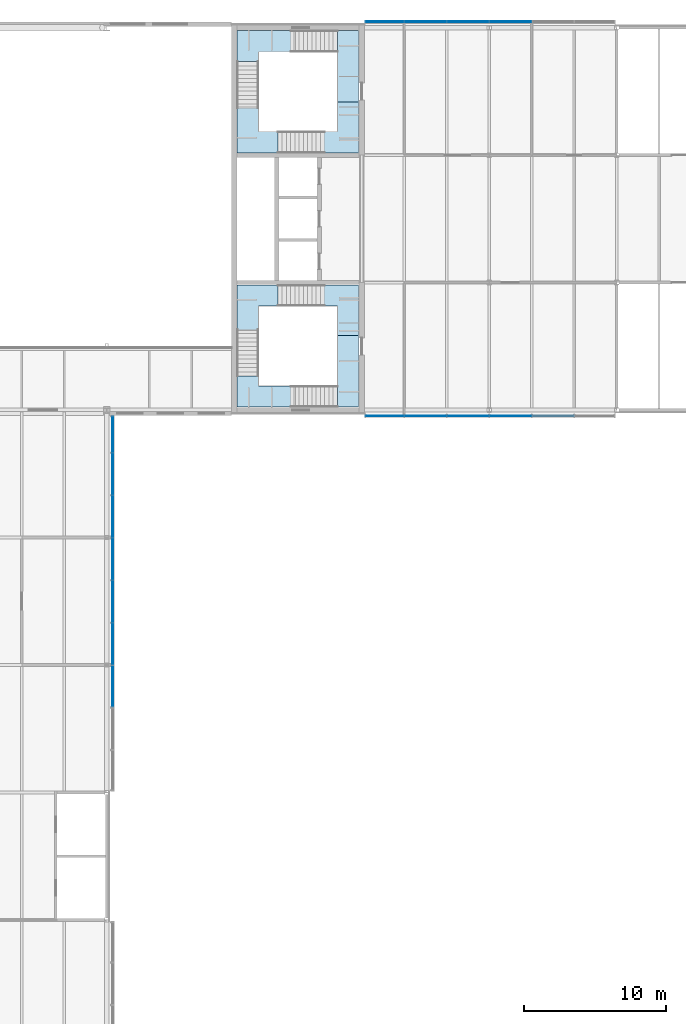
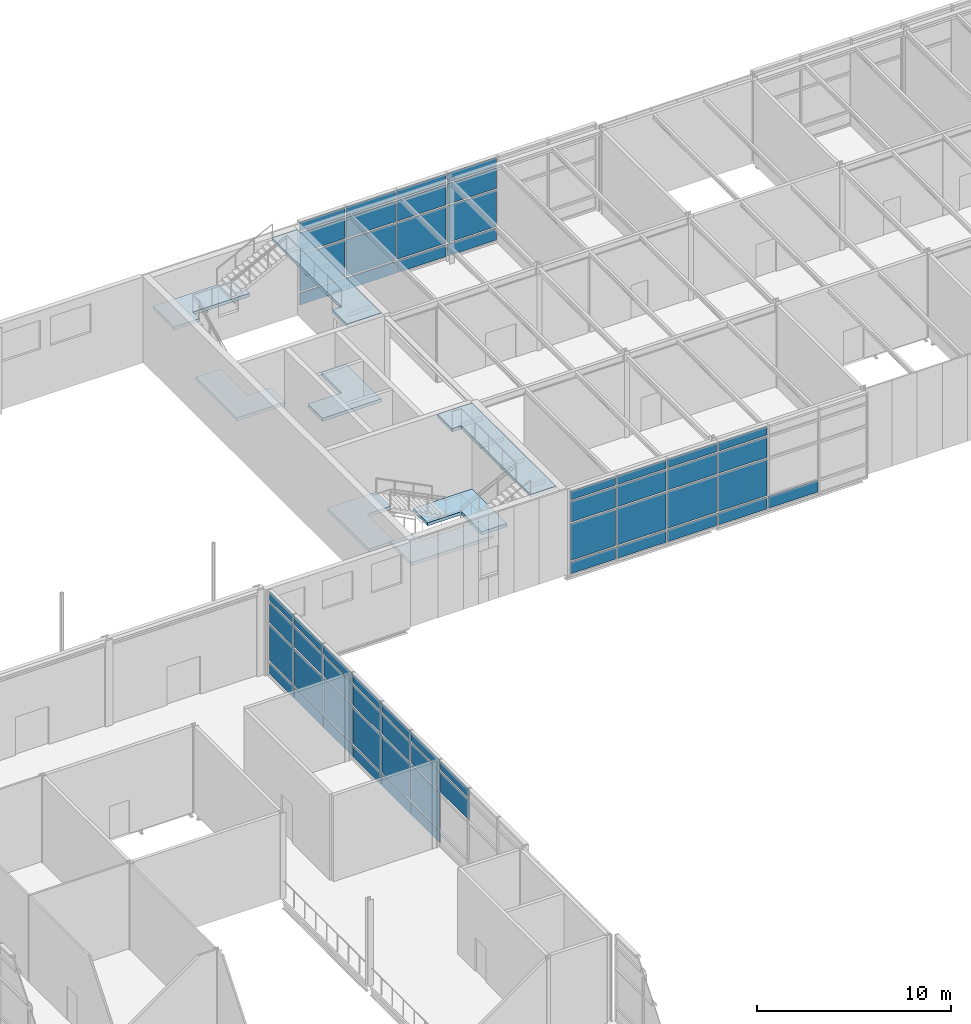
# One storey, part 33 of 46: 59 plates, 8 slabs, 5 elements without a shape of their own.
"""IFC4 building model written with IfcOpenShell, lengths in metres."""

from ifc_helpers import new_model, si_unit, direction, frame, origin, origin_2d, place, context, subcontext, project, spatial, polyline, rectangle, outline, extrude, material, layer, layer_set, type_object, element, aggregate, save


model = new_model("IFC4")

# Units and contexts
model_context = context("Model", 3, precision=1e-05, world=origin(), true_north=direction((0.0, 1.0)))
body_context = subcontext(model_context, "Body", "Model", "MODEL_VIEW")
ifc_project = project(units=[si_unit("LENGTHUNIT", "METRE"), si_unit("AREAUNIT", "SQUARE_METRE"), si_unit("VOLUMEUNIT", "CUBIC_METRE"), si_unit("PLANEANGLEUNIT", "RADIAN"), si_unit("MASSUNIT", "GRAM", prefix="KILO")], contexts=[model_context])

# Site, building, storey
site_placement = place(None, origin())
site = spatial("IfcSite", under=ifc_project, at=site_placement, CompositionType="ELEMENT")
building_placement = place(site_placement, origin())
building = spatial("IfcBuilding", under=site, at=building_placement, Name="Azimuth Sports and Learning Centre", CompositionType="ELEMENT")
storey_placement = place(building_placement, frame((0.0, 0.0, 21.60009765625)))
storey = spatial("IfcBuildingStorey", under=building, at=storey_placement, Name="L04", CompositionType="ELEMENT", Elevation=21.60009765625)

# Stair, slabs
ifc_material_1 = material(Name="Concrete C32/40", Category="concrete")
stair_type = type_object("IfcStairType", Name="Square-well stair core 5400 storey", PredefinedType="THREE_QUARTER_TURN_STAIR", material=ifc_material_1)
stair_1_placement = place(storey_placement, origin())
stair_1 = element("IfcStair", 1, at=stair_1_placement, inside=storey, type_object=stair_type, Name="Stair E1 L04-L05", PredefinedType="THREE_QUARTER_TURN_STAIR")
ifc_material_2 = material(Name="Concrete C32/40", Category="concrete")
ifc_layer_1 = layer(ifc_material_2, 0.199951171875)
ifc_layer_set_1 = layer_set([ifc_layer_1], Name="Concrete C32/40")
slab_type = type_object("IfcSlabType", Name="Concrete stair landing", PredefinedType="LANDING", material=ifc_layer_set_1)
slab_1_placement = place(storey_placement, frame((0.0, 0.0, -0.2001953125)))
slab_1 = element("IfcSlab", 2, at=slab_1_placement, type_object=slab_type, Name="Stair E1 L04 landing 1", PredefinedType="LANDING", context=body_context, shape_type="SweptSolid", body=[
    extrude(outline(polyline([(113.2900390625, 97.340087890625), (115.2900390625, 97.340087890625), (115.2900390625, 95.25), (116.7900390625, 95.25), (116.7900390625, 98.840087890625), (113.2900390625, 98.840087890625), (113.2900390625, 97.340087890625)])), origin(), (0.0, 0.0, 1.0), 0.2001953125),
])
slab_2_placement = place(storey_placement, frame((0.0, 0.0, 1.599853515625)))
slab_2 = element("IfcSlab", 3, at=slab_2_placement, type_object=slab_type, Name="Stair E1 L04 landing 2", PredefinedType="LANDING", context=body_context, shape_type="SweptSolid", body=[
    extrude(outline(polyline([(109.7099609375, 97.340087890625), (111.0908203125, 97.340087890625), (111.0908203125, 98.840087890625), (108.2099609375, 98.840087890625), (108.2099609375, 94.590087890625), (109.7099609375, 94.590087890625), (109.7099609375, 97.340087890625)])), origin(), (0.0, 0.0, 1.0), 0.199951171875),
])
slab_3_placement = place(storey_placement, frame((0.0, 0.0, 3.39990234375)))
slab_3 = element("IfcSlab", 4, at=slab_3_placement, type_object=slab_type, Name="Stair E1 L04 landing 3", PredefinedType="LANDING", context=body_context, shape_type="SweptSolid", body=[
    extrude(outline(polyline([(109.7099609375, 91.7099609375), (109.7099609375, 92.390625), (108.2099609375, 92.390625), (108.2099609375, 90.2099609375), (113.090087890625, 90.2099609375), (113.090087890625, 91.7099609375), (109.7099609375, 91.7099609375)])), origin(), (0.0, 0.0, 1.0), 0.199951171875),
])
slab_4_placement = place(storey_placement, frame((0.0, 0.0, 5.199951171875)))
slab_4 = element("IfcSlab", 5, at=slab_4_placement, type_object=slab_type, Name="Stair E1 L04 landing 4", PredefinedType="LANDING", context=body_context, shape_type="SweptSolid", body=[
    extrude(outline(polyline([(115.2900390625, 91.7099609375), (115.289306640625, 91.7099609375), (115.289306640625, 90.2099609375), (116.7900390625, 90.2099609375), (116.7900390625, 98.840087890625), (114.75, 98.840087890625), (114.75, 97.340087890625), (115.2900390625, 97.340087890625), (115.2900390625, 91.7099609375)])), origin(), (0.0, 0.0, 1.0), 0.199951171875),
])
aggregate(stair_1, [slab_1, slab_2, slab_3, slab_4])

stair_2_placement = place(storey_placement, origin())
stair_2 = element("IfcStair", 6, at=stair_2_placement, inside=storey, type_object=stair_type, Name="Stair E2 L04-L05", PredefinedType="THREE_QUARTER_TURN_STAIR")
slab_5_placement = place(storey_placement, frame((0.0, 0.0, -0.2001953125)))
slab_5 = element("IfcSlab", 7, at=slab_5_placement, type_object=slab_type, Name="Stair E2 L04 landing 1", PredefinedType="LANDING", context=body_context, shape_type="SweptSolid", body=[
    extrude(outline(polyline([(116.7900390625, 108.159912109375), (116.7900390625, 111.75), (115.2900390625, 111.75), (115.2900390625, 109.659912109375), (113.2900390625, 109.659912109375), (113.2900390625, 108.159912109375), (116.7900390625, 108.159912109375)])), origin(), (0.0, 0.0, 1.0), 0.2001953125),
])
slab_6_placement = place(storey_placement, frame((0.0, 0.0, 1.599853515625)))
slab_6 = element("IfcSlab", 8, at=slab_6_placement, type_object=slab_type, Name="Stair E2 L04 landing 2", PredefinedType="LANDING", context=body_context, shape_type="SweptSolid", body=[
    extrude(outline(polyline([(109.7099609375, 109.659912109375), (109.7099609375, 112.409912109375), (108.2099609375, 112.409912109375), (108.2099609375, 108.159912109375), (111.0908203125, 108.159912109375), (111.0908203125, 109.659912109375), (109.7099609375, 109.659912109375)])), origin(), (0.0, 0.0, 1.0), 0.199951171875),
])
slab_7_placement = place(storey_placement, frame((0.0, 0.0, 3.39990234375)))
slab_7 = element("IfcSlab", 9, at=slab_7_placement, type_object=slab_type, Name="Stair E2 L04 landing 3", PredefinedType="LANDING", context=body_context, shape_type="SweptSolid", body=[
    extrude(outline(polyline([(109.7099609375, 115.2900390625), (113.090087890625, 115.2900390625), (113.090087890625, 116.7900390625), (108.2099609375, 116.7900390625), (108.2099609375, 114.609375), (109.7099609375, 114.609375), (109.7099609375, 115.2900390625)])), origin(), (0.0, 0.0, 1.0), 0.199951171875),
])
slab_8_placement = place(storey_placement, frame((0.0, 0.0, 5.199951171875)))
slab_8 = element("IfcSlab", 10, at=slab_8_placement, type_object=slab_type, Name="Stair E2 L04 landing 4", PredefinedType="LANDING", context=body_context, shape_type="SweptSolid", body=[
    extrude(outline(polyline([(115.2900390625, 115.2900390625), (115.2900390625, 109.659912109375), (114.75, 109.659912109375), (114.75, 108.159912109375), (116.7900390625, 108.159912109375), (116.7900390625, 116.7900390625), (115.289306640625, 116.7900390625), (115.289306640625, 115.2900390625), (115.2900390625, 115.2900390625)])), origin(), (0.0, 0.0, 1.0), 0.199951171875),
])
aggregate(stair_2, [slab_5, slab_6, slab_7, slab_8])

# Curtain wall, plates
ifc_material_3 = material(Name="Aluminium and glass", Category="aluminium")
curtain_wall_type_1 = type_object("IfcCurtainWallType", Name="Curtain wall podium stem 240", PredefinedType="NOTDEFINED", material=ifc_material_3)
curtain_wall_1_placement = place(storey_placement, origin())
curtain_wall_1 = element("IfcCurtainWall", 11, at=curtain_wall_1_placement, inside=storey, type_object=curtain_wall_type_1, Name="Curtain wall CW04-008", PredefinedType="NOTDEFINED")
ifc_material_4 = material(Name="Insulated aluminium panel", Category="aluminium")
ifc_layer_2 = layer(ifc_material_4, 0.06005859375)
ifc_layer_set_2 = layer_set([ifc_layer_2], Name="Insulated aluminium panel")
plate_type_1 = type_object("IfcPlateType", Name="Spandrel panel 60 mm", PredefinedType="CURTAIN_PANEL", material=ifc_layer_set_2)
plate_1_placement = place(storey_placement, frame((99.419921875, 70.5, 4.760009765625), z_axis=(0.0, 0.0, 1.0), x_axis=(0.0, 1.0, 0.0)))
plate_1 = element("IfcPlate", 12, at=plate_1_placement, type_object=plate_type_1, Name="CW04-008 panel 3.4", PredefinedType="CURTAIN_PANEL", context=body_context, shape_type="SweptSolid", body=[
    extrude(rectangle(XDim=2.919921875, YDim=0.06005859375, at=origin_2d()), origin(), (0.0, 0.0, 1.0), 0.52001953125),
])
plate_2_placement = place(storey_placement, frame((99.419921875, 73.5, 0.1201171875), z_axis=(0.0, 0.0, 1.0), x_axis=(0.0, 1.0, 0.0)))
plate_2 = element("IfcPlate", 13, at=plate_2_placement, type_object=plate_type_1, Name="CW04-008 panel 4.1", PredefinedType="CURTAIN_PANEL", context=body_context, shape_type="SweptSolid", body=[
    extrude(rectangle(XDim=2.919921875, YDim=0.06005859375, at=origin_2d()), origin(), (0.0, 0.0, 1.0), 0.719970703125),
])
plate_3_placement = place(storey_placement, frame((99.419921875, 73.5, 4.760009765625), z_axis=(0.0, 0.0, 1.0), x_axis=(0.0, 1.0, 0.0)))
plate_3 = element("IfcPlate", 14, at=plate_3_placement, type_object=plate_type_1, Name="CW04-008 panel 4.4", PredefinedType="CURTAIN_PANEL", context=body_context, shape_type="SweptSolid", body=[
    extrude(rectangle(XDim=2.919921875, YDim=0.06005859375, at=origin_2d()), origin(), (0.0, 0.0, 1.0), 0.52001953125),
])
plate_4_placement = place(storey_placement, frame((99.419921875, 76.5, 0.1201171875), z_axis=(0.0, 0.0, 1.0), x_axis=(0.0, 1.0, 0.0)))
plate_4 = element("IfcPlate", 15, at=plate_4_placement, type_object=plate_type_1, Name="CW04-008 panel 5.1", PredefinedType="CURTAIN_PANEL", context=body_context, shape_type="SweptSolid", body=[
    extrude(rectangle(XDim=2.919921875, YDim=0.06005859375, at=origin_2d()), origin(), (0.0, 0.0, 1.0), 0.719970703125),
])
plate_5_placement = place(storey_placement, frame((99.419921875, 76.5, 4.760009765625), z_axis=(0.0, 0.0, 1.0), x_axis=(0.0, 1.0, 0.0)))
plate_5 = element("IfcPlate", 16, at=plate_5_placement, type_object=plate_type_1, Name="CW04-008 panel 5.4", PredefinedType="CURTAIN_PANEL", context=body_context, shape_type="SweptSolid", body=[
    extrude(rectangle(XDim=2.919921875, YDim=0.06005859375, at=origin_2d()), origin(), (0.0, 0.0, 1.0), 0.52001953125),
])
plate_6_placement = place(storey_placement, frame((99.419921875, 79.5, 0.1201171875), z_axis=(0.0, 0.0, 1.0), x_axis=(0.0, 1.0, 0.0)))
plate_6 = element("IfcPlate", 17, at=plate_6_placement, type_object=plate_type_1, Name="CW04-008 panel 6.1", PredefinedType="CURTAIN_PANEL", context=body_context, shape_type="SweptSolid", body=[
    extrude(rectangle(XDim=2.919921875, YDim=0.06005859375, at=origin_2d()), origin(), (0.0, 0.0, 1.0), 0.719970703125),
])
plate_7_placement = place(storey_placement, frame((99.419921875, 79.5, 4.760009765625), z_axis=(0.0, 0.0, 1.0), x_axis=(0.0, 1.0, 0.0)))
plate_7 = element("IfcPlate", 18, at=plate_7_placement, type_object=plate_type_1, Name="CW04-008 panel 6.4", PredefinedType="CURTAIN_PANEL", context=body_context, shape_type="SweptSolid", body=[
    extrude(rectangle(XDim=2.919921875, YDim=0.06005859375, at=origin_2d()), origin(), (0.0, 0.0, 1.0), 0.52001953125),
])
plate_8_placement = place(storey_placement, frame((99.419921875, 82.5, 0.1201171875), z_axis=(0.0, 0.0, 1.0), x_axis=(0.0, 1.0, 0.0)))
plate_8 = element("IfcPlate", 19, at=plate_8_placement, type_object=plate_type_1, Name="CW04-008 panel 7.1", PredefinedType="CURTAIN_PANEL", context=body_context, shape_type="SweptSolid", body=[
    extrude(rectangle(XDim=2.919921875, YDim=0.06005859375, at=origin_2d()), origin(), (0.0, 0.0, 1.0), 0.719970703125),
])
plate_9_placement = place(storey_placement, frame((99.419921875, 82.5, 4.760009765625), z_axis=(0.0, 0.0, 1.0), x_axis=(0.0, 1.0, 0.0)))
plate_9 = element("IfcPlate", 20, at=plate_9_placement, type_object=plate_type_1, Name="CW04-008 panel 7.4", PredefinedType="CURTAIN_PANEL", context=body_context, shape_type="SweptSolid", body=[
    extrude(rectangle(XDim=2.919921875, YDim=0.06005859375, at=origin_2d()), origin(), (0.0, 0.0, 1.0), 0.52001953125),
])
plate_10_placement = place(storey_placement, frame((99.419921875, 85.5, 0.1201171875), z_axis=(0.0, 0.0, 1.0), x_axis=(0.0, 1.0, 0.0)))
plate_10 = element("IfcPlate", 21, at=plate_10_placement, type_object=plate_type_1, Name="CW04-008 panel 8.1", PredefinedType="CURTAIN_PANEL", context=body_context, shape_type="SweptSolid", body=[
    extrude(rectangle(XDim=2.919921875, YDim=0.06005859375, at=origin_2d()), origin(), (0.0, 0.0, 1.0), 0.719970703125),
])
plate_11_placement = place(storey_placement, frame((99.419921875, 85.5, 4.760009765625), z_axis=(0.0, 0.0, 1.0), x_axis=(0.0, 1.0, 0.0)))
plate_11 = element("IfcPlate", 22, at=plate_11_placement, type_object=plate_type_1, Name="CW04-008 panel 8.4", PredefinedType="CURTAIN_PANEL", context=body_context, shape_type="SweptSolid", body=[
    extrude(rectangle(XDim=2.919921875, YDim=0.06005859375, at=origin_2d()), origin(), (0.0, 0.0, 1.0), 0.52001953125),
])
plate_12_placement = place(storey_placement, frame((99.419921875, 88.284912109375, 0.1201171875), z_axis=(0.0, 0.0, 1.0), x_axis=(0.0, 1.0, 0.0)))
plate_12 = element("IfcPlate", 23, at=plate_12_placement, type_object=plate_type_1, Name="CW04-008 panel 9.1", PredefinedType="CURTAIN_PANEL", context=body_context, shape_type="SweptSolid", body=[
    extrude(rectangle(XDim=2.489990234375, YDim=0.06005859375, at=origin_2d()), origin(), (0.0, 0.0, 1.0), 0.719970703125),
])
plate_13_placement = place(storey_placement, frame((99.419921875, 88.284912109375, 4.760009765625), z_axis=(0.0, 0.0, 1.0), x_axis=(0.0, 1.0, 0.0)))
plate_13 = element("IfcPlate", 24, at=plate_13_placement, type_object=plate_type_1, Name="CW04-008 panel 9.4", PredefinedType="CURTAIN_PANEL", context=body_context, shape_type="SweptSolid", body=[
    extrude(rectangle(XDim=2.489990234375, YDim=0.06005859375, at=origin_2d()), origin(), (0.0, 0.0, 1.0), 0.52001953125),
])

ifc_material_5 = material(Name="Aluminium and glass", Category="aluminium")
curtain_wall_type_2 = type_object("IfcCurtainWallType", Name="Curtain wall podium wing 240", PredefinedType="NOTDEFINED", material=ifc_material_5)
curtain_wall_2_placement = place(storey_placement, origin())
curtain_wall_2 = element("IfcCurtainWall", 25, at=curtain_wall_2_placement, inside=storey, type_object=curtain_wall_type_2, Name="Curtain wall CW04-009", PredefinedType="NOTDEFINED")
plate_14_placement = place(storey_placement, frame((118.6201171875, 89.580078125, 0.1201171875), z_axis=(0.0, 0.0, 1.0), x_axis=(1.0, 0.0, 0.0)))
plate_14 = element("IfcPlate", 26, at=plate_14_placement, type_object=plate_type_1, Name="CW04-009 panel 1.1", PredefinedType="CURTAIN_PANEL", context=body_context, shape_type="SweptSolid", body=[
    extrude(rectangle(XDim=2.679931640625, YDim=0.06005859375, at=origin_2d()), origin(), (0.0, 0.0, 1.0), 0.719970703125),
])
plate_15_placement = place(storey_placement, frame((118.6201171875, 89.580078125, 4.760009765625), z_axis=(0.0, 0.0, 1.0), x_axis=(1.0, 0.0, 0.0)))
plate_15 = element("IfcPlate", 27, at=plate_15_placement, type_object=plate_type_1, Name="CW04-009 panel 1.4", PredefinedType="CURTAIN_PANEL", context=body_context, shape_type="SweptSolid", body=[
    extrude(rectangle(XDim=2.679931640625, YDim=0.06005859375, at=origin_2d()), origin(), (0.0, 0.0, 1.0), 0.52001953125),
])
plate_16_placement = place(storey_placement, frame((121.5, 89.580078125, 0.1201171875), z_axis=(0.0, 0.0, 1.0), x_axis=(1.0, 0.0, 0.0)))
plate_16 = element("IfcPlate", 28, at=plate_16_placement, type_object=plate_type_1, Name="CW04-009 panel 2.1", PredefinedType="CURTAIN_PANEL", context=body_context, shape_type="SweptSolid", body=[
    extrude(rectangle(XDim=2.919921875, YDim=0.06005859375, at=origin_2d()), origin(), (0.0, 0.0, 1.0), 0.719970703125),
])
plate_17_placement = place(storey_placement, frame((121.5, 89.580078125, 4.760009765625), z_axis=(0.0, 0.0, 1.0), x_axis=(1.0, 0.0, 0.0)))
plate_17 = element("IfcPlate", 29, at=plate_17_placement, type_object=plate_type_1, Name="CW04-009 panel 2.4", PredefinedType="CURTAIN_PANEL", context=body_context, shape_type="SweptSolid", body=[
    extrude(rectangle(XDim=2.919921875, YDim=0.06005859375, at=origin_2d()), origin(), (0.0, 0.0, 1.0), 0.52001953125),
])
plate_18_placement = place(storey_placement, frame((124.5, 89.580078125, 0.1201171875), z_axis=(0.0, 0.0, 1.0), x_axis=(1.0, 0.0, 0.0)))
plate_18 = element("IfcPlate", 30, at=plate_18_placement, type_object=plate_type_1, Name="CW04-009 panel 3.1", PredefinedType="CURTAIN_PANEL", context=body_context, shape_type="SweptSolid", body=[
    extrude(rectangle(XDim=2.919921875, YDim=0.06005859375, at=origin_2d()), origin(), (0.0, 0.0, 1.0), 0.719970703125),
])
plate_19_placement = place(storey_placement, frame((124.5, 89.580078125, 4.760009765625), z_axis=(0.0, 0.0, 1.0), x_axis=(1.0, 0.0, 0.0)))
plate_19 = element("IfcPlate", 31, at=plate_19_placement, type_object=plate_type_1, Name="CW04-009 panel 3.4", PredefinedType="CURTAIN_PANEL", context=body_context, shape_type="SweptSolid", body=[
    extrude(rectangle(XDim=2.919921875, YDim=0.06005859375, at=origin_2d()), origin(), (0.0, 0.0, 1.0), 0.52001953125),
])
plate_20_placement = place(storey_placement, frame((127.5, 89.580078125, 0.1201171875), z_axis=(0.0, 0.0, 1.0), x_axis=(1.0, 0.0, 0.0)))
plate_20 = element("IfcPlate", 32, at=plate_20_placement, type_object=plate_type_1, Name="CW04-009 panel 4.1", PredefinedType="CURTAIN_PANEL", context=body_context, shape_type="SweptSolid", body=[
    extrude(rectangle(XDim=2.919921875, YDim=0.06005859375, at=origin_2d()), origin(), (0.0, 0.0, 1.0), 0.719970703125),
])
plate_21_placement = place(storey_placement, frame((127.5, 89.580078125, 4.760009765625), z_axis=(0.0, 0.0, 1.0), x_axis=(1.0, 0.0, 0.0)))
plate_21 = element("IfcPlate", 33, at=plate_21_placement, type_object=plate_type_1, Name="CW04-009 panel 4.4", PredefinedType="CURTAIN_PANEL", context=body_context, shape_type="SweptSolid", body=[
    extrude(rectangle(XDim=2.919921875, YDim=0.06005859375, at=origin_2d()), origin(), (0.0, 0.0, 1.0), 0.52001953125),
])
plate_22_placement = place(storey_placement, frame((130.5, 89.580078125, 0.1201171875), z_axis=(0.0, 0.0, 1.0), x_axis=(1.0, 0.0, 0.0)))
plate_22 = element("IfcPlate", 34, at=plate_22_placement, type_object=plate_type_1, Name="CW04-009 panel 5.1", PredefinedType="CURTAIN_PANEL", context=body_context, shape_type="SweptSolid", body=[
    extrude(rectangle(XDim=2.919921875, YDim=0.06005859375, at=origin_2d()), origin(), (0.0, 0.0, 1.0), 0.719970703125),
])

curtain_wall_3_placement = place(storey_placement, origin())
curtain_wall_3 = element("IfcCurtainWall", 35, at=curtain_wall_3_placement, inside=storey, type_object=curtain_wall_type_2, Name="Curtain wall CW04-012", PredefinedType="NOTDEFINED")
plate_23_placement = place(storey_placement, frame((127.5, 117.419921875, 0.1201171875), z_axis=(0.0, 0.0, 1.0), x_axis=(-1.0, 0.0, 0.0)))
plate_23 = element("IfcPlate", 36, at=plate_23_placement, type_object=plate_type_1, Name="CW04-012 panel 3.1", PredefinedType="CURTAIN_PANEL", context=body_context, shape_type="SweptSolid", body=[
    extrude(rectangle(XDim=2.919921875, YDim=0.06005859375, at=origin_2d()), origin(), (0.0, 0.0, 1.0), 0.719970703125),
])
plate_24_placement = place(storey_placement, frame((127.5, 117.419921875, 4.760009765625), z_axis=(0.0, 0.0, 1.0), x_axis=(-1.0, 0.0, 0.0)))
plate_24 = element("IfcPlate", 37, at=plate_24_placement, type_object=plate_type_1, Name="CW04-012 panel 3.4", PredefinedType="CURTAIN_PANEL", context=body_context, shape_type="SweptSolid", body=[
    extrude(rectangle(XDim=2.919921875, YDim=0.06005859375, at=origin_2d()), origin(), (0.0, 0.0, 1.0), 0.52001953125),
])
plate_25_placement = place(storey_placement, frame((124.5, 117.419921875, 0.1201171875), z_axis=(0.0, 0.0, 1.0), x_axis=(-1.0, 0.0, 0.0)))
plate_25 = element("IfcPlate", 38, at=plate_25_placement, type_object=plate_type_1, Name="CW04-012 panel 4.1", PredefinedType="CURTAIN_PANEL", context=body_context, shape_type="SweptSolid", body=[
    extrude(rectangle(XDim=2.919921875, YDim=0.06005859375, at=origin_2d()), origin(), (0.0, 0.0, 1.0), 0.719970703125),
])
plate_26_placement = place(storey_placement, frame((124.5, 117.419921875, 4.760009765625), z_axis=(0.0, 0.0, 1.0), x_axis=(-1.0, 0.0, 0.0)))
plate_26 = element("IfcPlate", 39, at=plate_26_placement, type_object=plate_type_1, Name="CW04-012 panel 4.4", PredefinedType="CURTAIN_PANEL", context=body_context, shape_type="SweptSolid", body=[
    extrude(rectangle(XDim=2.919921875, YDim=0.06005859375, at=origin_2d()), origin(), (0.0, 0.0, 1.0), 0.52001953125),
])
plate_27_placement = place(storey_placement, frame((121.5, 117.419921875, 0.1201171875), z_axis=(0.0, 0.0, 1.0), x_axis=(-1.0, 0.0, 0.0)))
plate_27 = element("IfcPlate", 40, at=plate_27_placement, type_object=plate_type_1, Name="CW04-012 panel 5.1", PredefinedType="CURTAIN_PANEL", context=body_context, shape_type="SweptSolid", body=[
    extrude(rectangle(XDim=2.919921875, YDim=0.06005859375, at=origin_2d()), origin(), (0.0, 0.0, 1.0), 0.719970703125),
])
plate_28_placement = place(storey_placement, frame((121.5, 117.419921875, 4.760009765625), z_axis=(0.0, 0.0, 1.0), x_axis=(-1.0, 0.0, 0.0)))
plate_28 = element("IfcPlate", 41, at=plate_28_placement, type_object=plate_type_1, Name="CW04-012 panel 5.4", PredefinedType="CURTAIN_PANEL", context=body_context, shape_type="SweptSolid", body=[
    extrude(rectangle(XDim=2.919921875, YDim=0.06005859375, at=origin_2d()), origin(), (0.0, 0.0, 1.0), 0.52001953125),
])
plate_29_placement = place(storey_placement, frame((118.6201171875, 117.419921875, 0.1201171875), z_axis=(0.0, 0.0, 1.0), x_axis=(-1.0, 0.0, 0.0)))
plate_29 = element("IfcPlate", 42, at=plate_29_placement, type_object=plate_type_1, Name="CW04-012 panel 6.1", PredefinedType="CURTAIN_PANEL", context=body_context, shape_type="SweptSolid", body=[
    extrude(rectangle(XDim=2.679931640625, YDim=0.06005859375, at=origin_2d()), origin(), (0.0, 0.0, 1.0), 0.719970703125),
])
plate_30_placement = place(storey_placement, frame((118.6201171875, 117.419921875, 4.760009765625), z_axis=(0.0, 0.0, 1.0), x_axis=(-1.0, 0.0, 0.0)))
plate_30 = element("IfcPlate", 43, at=plate_30_placement, type_object=plate_type_1, Name="CW04-012 panel 6.4", PredefinedType="CURTAIN_PANEL", context=body_context, shape_type="SweptSolid", body=[
    extrude(rectangle(XDim=2.679931640625, YDim=0.06005859375, at=origin_2d()), origin(), (0.0, 0.0, 1.0), 0.52001953125),
])

# Plate
ifc_material_6 = material(Name="Glass", Category="glass")
ifc_layer_3 = layer(ifc_material_6, 0.0439453125)
ifc_layer_set_3 = layer_set([ifc_layer_3], Name="Glass")
plate_type_2 = type_object("IfcPlateType", Name="Vision glass 44 mm", PredefinedType="CURTAIN_PANEL", material=ifc_layer_set_3)
plate_31_placement = place(storey_placement, frame((99.419921875, 70.5, 3.35986328125), z_axis=(0.0, 0.0, 1.0), x_axis=(0.0, 1.0, 0.0)))
plate_31 = element("IfcPlate", 44, at=plate_31_placement, type_object=plate_type_2, Name="CW04-008 panel 3.3", PredefinedType="CURTAIN_PANEL", context=body_context, shape_type="SweptSolid", body=[
    extrude(rectangle(XDim=2.919921875, YDim=0.0439453125, at=origin_2d()), origin(), (0.0, 0.0, 1.0), 1.280029296875),
])

plate_32_placement = place(storey_placement, frame((99.419921875, 73.5, 0.9599609375), z_axis=(0.0, 0.0, 1.0), x_axis=(0.0, 1.0, 0.0)))
plate_32 = element("IfcPlate", 45, at=plate_32_placement, type_object=plate_type_2, Name="CW04-008 panel 4.2", PredefinedType="CURTAIN_PANEL", context=body_context, shape_type="SweptSolid", body=[
    extrude(rectangle(XDim=2.919921875, YDim=0.0439453125, at=origin_2d()), origin(), (0.0, 0.0, 1.0), 2.280029296875),
])

plate_33_placement = place(storey_placement, frame((99.419921875, 73.5, 3.35986328125), z_axis=(0.0, 0.0, 1.0), x_axis=(0.0, 1.0, 0.0)))
plate_33 = element("IfcPlate", 46, at=plate_33_placement, type_object=plate_type_2, Name="CW04-008 panel 4.3", PredefinedType="CURTAIN_PANEL", context=body_context, shape_type="SweptSolid", body=[
    extrude(rectangle(XDim=2.919921875, YDim=0.0439453125, at=origin_2d()), origin(), (0.0, 0.0, 1.0), 1.280029296875),
])

plate_34_placement = place(storey_placement, frame((99.419921875, 76.5, 0.9599609375), z_axis=(0.0, 0.0, 1.0), x_axis=(0.0, 1.0, 0.0)))
plate_34 = element("IfcPlate", 47, at=plate_34_placement, type_object=plate_type_2, Name="CW04-008 panel 5.2", PredefinedType="CURTAIN_PANEL", context=body_context, shape_type="SweptSolid", body=[
    extrude(rectangle(XDim=2.919921875, YDim=0.0439453125, at=origin_2d()), origin(), (0.0, 0.0, 1.0), 2.280029296875),
])

plate_35_placement = place(storey_placement, frame((99.419921875, 76.5, 3.35986328125), z_axis=(0.0, 0.0, 1.0), x_axis=(0.0, 1.0, 0.0)))
plate_35 = element("IfcPlate", 48, at=plate_35_placement, type_object=plate_type_2, Name="CW04-008 panel 5.3", PredefinedType="CURTAIN_PANEL", context=body_context, shape_type="SweptSolid", body=[
    extrude(rectangle(XDim=2.919921875, YDim=0.0439453125, at=origin_2d()), origin(), (0.0, 0.0, 1.0), 1.280029296875),
])

plate_36_placement = place(storey_placement, frame((99.419921875, 79.5, 0.9599609375), z_axis=(0.0, 0.0, 1.0), x_axis=(0.0, 1.0, 0.0)))
plate_36 = element("IfcPlate", 49, at=plate_36_placement, type_object=plate_type_2, Name="CW04-008 panel 6.2", PredefinedType="CURTAIN_PANEL", context=body_context, shape_type="SweptSolid", body=[
    extrude(rectangle(XDim=2.919921875, YDim=0.0439453125, at=origin_2d()), origin(), (0.0, 0.0, 1.0), 2.280029296875),
])

plate_37_placement = place(storey_placement, frame((99.419921875, 79.5, 3.35986328125), z_axis=(0.0, 0.0, 1.0), x_axis=(0.0, 1.0, 0.0)))
plate_37 = element("IfcPlate", 50, at=plate_37_placement, type_object=plate_type_2, Name="CW04-008 panel 6.3", PredefinedType="CURTAIN_PANEL", context=body_context, shape_type="SweptSolid", body=[
    extrude(rectangle(XDim=2.919921875, YDim=0.0439453125, at=origin_2d()), origin(), (0.0, 0.0, 1.0), 1.280029296875),
])

plate_38_placement = place(storey_placement, frame((99.419921875, 82.5, 0.9599609375), z_axis=(0.0, 0.0, 1.0), x_axis=(0.0, 1.0, 0.0)))
plate_38 = element("IfcPlate", 51, at=plate_38_placement, type_object=plate_type_2, Name="CW04-008 panel 7.2", PredefinedType="CURTAIN_PANEL", context=body_context, shape_type="SweptSolid", body=[
    extrude(rectangle(XDim=2.919921875, YDim=0.0439453125, at=origin_2d()), origin(), (0.0, 0.0, 1.0), 2.280029296875),
])

plate_39_placement = place(storey_placement, frame((99.419921875, 82.5, 3.35986328125), z_axis=(0.0, 0.0, 1.0), x_axis=(0.0, 1.0, 0.0)))
plate_39 = element("IfcPlate", 52, at=plate_39_placement, type_object=plate_type_2, Name="CW04-008 panel 7.3", PredefinedType="CURTAIN_PANEL", context=body_context, shape_type="SweptSolid", body=[
    extrude(rectangle(XDim=2.919921875, YDim=0.0439453125, at=origin_2d()), origin(), (0.0, 0.0, 1.0), 1.280029296875),
])

plate_40_placement = place(storey_placement, frame((99.419921875, 85.5, 0.9599609375), z_axis=(0.0, 0.0, 1.0), x_axis=(0.0, 1.0, 0.0)))
plate_40 = element("IfcPlate", 53, at=plate_40_placement, type_object=plate_type_2, Name="CW04-008 panel 8.2", PredefinedType="CURTAIN_PANEL", context=body_context, shape_type="SweptSolid", body=[
    extrude(rectangle(XDim=2.919921875, YDim=0.0439453125, at=origin_2d()), origin(), (0.0, 0.0, 1.0), 2.280029296875),
])

plate_41_placement = place(storey_placement, frame((99.419921875, 85.5, 3.35986328125), z_axis=(0.0, 0.0, 1.0), x_axis=(0.0, 1.0, 0.0)))
plate_41 = element("IfcPlate", 54, at=plate_41_placement, type_object=plate_type_2, Name="CW04-008 panel 8.3", PredefinedType="CURTAIN_PANEL", context=body_context, shape_type="SweptSolid", body=[
    extrude(rectangle(XDim=2.919921875, YDim=0.0439453125, at=origin_2d()), origin(), (0.0, 0.0, 1.0), 1.280029296875),
])

plate_42_placement = place(storey_placement, frame((99.419921875, 88.284912109375, 0.9599609375), z_axis=(0.0, 0.0, 1.0), x_axis=(0.0, 1.0, 0.0)))
plate_42 = element("IfcPlate", 55, at=plate_42_placement, type_object=plate_type_2, Name="CW04-008 panel 9.2", PredefinedType="CURTAIN_PANEL", context=body_context, shape_type="SweptSolid", body=[
    extrude(rectangle(XDim=2.489990234375, YDim=0.0439453125, at=origin_2d()), origin(), (0.0, 0.0, 1.0), 2.280029296875),
])

plate_43_placement = place(storey_placement, frame((99.419921875, 88.284912109375, 3.35986328125), z_axis=(0.0, 0.0, 1.0), x_axis=(0.0, 1.0, 0.0)))
plate_43 = element("IfcPlate", 56, at=plate_43_placement, type_object=plate_type_2, Name="CW04-008 panel 9.3", PredefinedType="CURTAIN_PANEL", context=body_context, shape_type="SweptSolid", body=[
    extrude(rectangle(XDim=2.489990234375, YDim=0.0439453125, at=origin_2d()), origin(), (0.0, 0.0, 1.0), 1.280029296875),
])

aggregate(curtain_wall_1, [plate_31, plate_1, plate_2, plate_32, plate_33, plate_3, plate_4, plate_34, plate_35, plate_5, plate_6, plate_36, plate_37, plate_7, plate_8, plate_38, plate_39, plate_9, plate_10, plate_40, plate_41, plate_11, plate_12, plate_42, plate_43, plate_13])

plate_44_placement = place(storey_placement, frame((118.6201171875, 89.580078125, 0.9599609375), z_axis=(0.0, 0.0, 1.0), x_axis=(1.0, 0.0, 0.0)))
plate_44 = element("IfcPlate", 57, at=plate_44_placement, type_object=plate_type_2, Name="CW04-009 panel 1.2", PredefinedType="CURTAIN_PANEL", context=body_context, shape_type="SweptSolid", body=[
    extrude(rectangle(XDim=2.679931640625, YDim=0.0439453125, at=origin_2d()), origin(), (0.0, 0.0, 1.0), 2.280029296875),
])

plate_45_placement = place(storey_placement, frame((118.6201171875, 89.580078125, 3.35986328125), z_axis=(0.0, 0.0, 1.0), x_axis=(1.0, 0.0, 0.0)))
plate_45 = element("IfcPlate", 58, at=plate_45_placement, type_object=plate_type_2, Name="CW04-009 panel 1.3", PredefinedType="CURTAIN_PANEL", context=body_context, shape_type="SweptSolid", body=[
    extrude(rectangle(XDim=2.679931640625, YDim=0.0439453125, at=origin_2d()), origin(), (0.0, 0.0, 1.0), 1.280029296875),
])

plate_46_placement = place(storey_placement, frame((121.5, 89.580078125, 0.9599609375), z_axis=(0.0, 0.0, 1.0), x_axis=(1.0, 0.0, 0.0)))
plate_46 = element("IfcPlate", 59, at=plate_46_placement, type_object=plate_type_2, Name="CW04-009 panel 2.2", PredefinedType="CURTAIN_PANEL", context=body_context, shape_type="SweptSolid", body=[
    extrude(rectangle(XDim=2.919921875, YDim=0.0439453125, at=origin_2d()), origin(), (0.0, 0.0, 1.0), 2.280029296875),
])

plate_47_placement = place(storey_placement, frame((121.5, 89.580078125, 3.35986328125), z_axis=(0.0, 0.0, 1.0), x_axis=(1.0, 0.0, 0.0)))
plate_47 = element("IfcPlate", 60, at=plate_47_placement, type_object=plate_type_2, Name="CW04-009 panel 2.3", PredefinedType="CURTAIN_PANEL", context=body_context, shape_type="SweptSolid", body=[
    extrude(rectangle(XDim=2.919921875, YDim=0.0439453125, at=origin_2d()), origin(), (0.0, 0.0, 1.0), 1.280029296875),
])

plate_48_placement = place(storey_placement, frame((124.5, 89.580078125, 0.9599609375), z_axis=(0.0, 0.0, 1.0), x_axis=(1.0, 0.0, 0.0)))
plate_48 = element("IfcPlate", 61, at=plate_48_placement, type_object=plate_type_2, Name="CW04-009 panel 3.2", PredefinedType="CURTAIN_PANEL", context=body_context, shape_type="SweptSolid", body=[
    extrude(rectangle(XDim=2.919921875, YDim=0.0439453125, at=origin_2d()), origin(), (0.0, 0.0, 1.0), 2.280029296875),
])

plate_49_placement = place(storey_placement, frame((124.5, 89.580078125, 3.35986328125), z_axis=(0.0, 0.0, 1.0), x_axis=(1.0, 0.0, 0.0)))
plate_49 = element("IfcPlate", 62, at=plate_49_placement, type_object=plate_type_2, Name="CW04-009 panel 3.3", PredefinedType="CURTAIN_PANEL", context=body_context, shape_type="SweptSolid", body=[
    extrude(rectangle(XDim=2.919921875, YDim=0.0439453125, at=origin_2d()), origin(), (0.0, 0.0, 1.0), 1.280029296875),
])

plate_50_placement = place(storey_placement, frame((127.5, 89.580078125, 0.9599609375), z_axis=(0.0, 0.0, 1.0), x_axis=(1.0, 0.0, 0.0)))
plate_50 = element("IfcPlate", 63, at=plate_50_placement, type_object=plate_type_2, Name="CW04-009 panel 4.2", PredefinedType="CURTAIN_PANEL", context=body_context, shape_type="SweptSolid", body=[
    extrude(rectangle(XDim=2.919921875, YDim=0.0439453125, at=origin_2d()), origin(), (0.0, 0.0, 1.0), 2.280029296875),
])

plate_51_placement = place(storey_placement, frame((127.5, 89.580078125, 3.35986328125), z_axis=(0.0, 0.0, 1.0), x_axis=(1.0, 0.0, 0.0)))
plate_51 = element("IfcPlate", 64, at=plate_51_placement, type_object=plate_type_2, Name="CW04-009 panel 4.3", PredefinedType="CURTAIN_PANEL", context=body_context, shape_type="SweptSolid", body=[
    extrude(rectangle(XDim=2.919921875, YDim=0.0439453125, at=origin_2d()), origin(), (0.0, 0.0, 1.0), 1.280029296875),
])

aggregate(curtain_wall_2, [plate_14, plate_44, plate_45, plate_15, plate_16, plate_46, plate_47, plate_17, plate_18, plate_48, plate_49, plate_19, plate_20, plate_50, plate_51, plate_21, plate_22])

plate_52_placement = place(storey_placement, frame((127.5, 117.419921875, 0.9599609375), z_axis=(0.0, 0.0, 1.0), x_axis=(-1.0, 0.0, 0.0)))
plate_52 = element("IfcPlate", 65, at=plate_52_placement, type_object=plate_type_2, Name="CW04-012 panel 3.2", PredefinedType="CURTAIN_PANEL", context=body_context, shape_type="SweptSolid", body=[
    extrude(rectangle(XDim=2.919921875, YDim=0.0439453125, at=origin_2d()), origin(), (0.0, 0.0, 1.0), 2.280029296875),
])

plate_53_placement = place(storey_placement, frame((127.5, 117.419921875, 3.35986328125), z_axis=(0.0, 0.0, 1.0), x_axis=(-1.0, 0.0, 0.0)))
plate_53 = element("IfcPlate", 66, at=plate_53_placement, type_object=plate_type_2, Name="CW04-012 panel 3.3", PredefinedType="CURTAIN_PANEL", context=body_context, shape_type="SweptSolid", body=[
    extrude(rectangle(XDim=2.919921875, YDim=0.0439453125, at=origin_2d()), origin(), (0.0, 0.0, 1.0), 1.280029296875),
])

plate_54_placement = place(storey_placement, frame((124.5, 117.419921875, 0.9599609375), z_axis=(0.0, 0.0, 1.0), x_axis=(-1.0, 0.0, 0.0)))
plate_54 = element("IfcPlate", 67, at=plate_54_placement, type_object=plate_type_2, Name="CW04-012 panel 4.2", PredefinedType="CURTAIN_PANEL", context=body_context, shape_type="SweptSolid", body=[
    extrude(rectangle(XDim=2.919921875, YDim=0.0439453125, at=origin_2d()), origin(), (0.0, 0.0, 1.0), 2.280029296875),
])

plate_55_placement = place(storey_placement, frame((124.5, 117.419921875, 3.35986328125), z_axis=(0.0, 0.0, 1.0), x_axis=(-1.0, 0.0, 0.0)))
plate_55 = element("IfcPlate", 68, at=plate_55_placement, type_object=plate_type_2, Name="CW04-012 panel 4.3", PredefinedType="CURTAIN_PANEL", context=body_context, shape_type="SweptSolid", body=[
    extrude(rectangle(XDim=2.919921875, YDim=0.0439453125, at=origin_2d()), origin(), (0.0, 0.0, 1.0), 1.280029296875),
])

plate_56_placement = place(storey_placement, frame((121.5, 117.419921875, 0.9599609375), z_axis=(0.0, 0.0, 1.0), x_axis=(-1.0, 0.0, 0.0)))
plate_56 = element("IfcPlate", 69, at=plate_56_placement, type_object=plate_type_2, Name="CW04-012 panel 5.2", PredefinedType="CURTAIN_PANEL", context=body_context, shape_type="SweptSolid", body=[
    extrude(rectangle(XDim=2.919921875, YDim=0.0439453125, at=origin_2d()), origin(), (0.0, 0.0, 1.0), 2.280029296875),
])

plate_57_placement = place(storey_placement, frame((121.5, 117.419921875, 3.35986328125), z_axis=(0.0, 0.0, 1.0), x_axis=(-1.0, 0.0, 0.0)))
plate_57 = element("IfcPlate", 70, at=plate_57_placement, type_object=plate_type_2, Name="CW04-012 panel 5.3", PredefinedType="CURTAIN_PANEL", context=body_context, shape_type="SweptSolid", body=[
    extrude(rectangle(XDim=2.919921875, YDim=0.0439453125, at=origin_2d()), origin(), (0.0, 0.0, 1.0), 1.280029296875),
])

plate_58_placement = place(storey_placement, frame((118.6201171875, 117.419921875, 0.9599609375), z_axis=(0.0, 0.0, 1.0), x_axis=(-1.0, 0.0, 0.0)))
plate_58 = element("IfcPlate", 71, at=plate_58_placement, type_object=plate_type_2, Name="CW04-012 panel 6.2", PredefinedType="CURTAIN_PANEL", context=body_context, shape_type="SweptSolid", body=[
    extrude(rectangle(XDim=2.679931640625, YDim=0.0439453125, at=origin_2d()), origin(), (0.0, 0.0, 1.0), 2.280029296875),
])

plate_59_placement = place(storey_placement, frame((118.6201171875, 117.419921875, 3.35986328125), z_axis=(0.0, 0.0, 1.0), x_axis=(-1.0, 0.0, 0.0)))
plate_59 = element("IfcPlate", 72, at=plate_59_placement, type_object=plate_type_2, Name="CW04-012 panel 6.3", PredefinedType="CURTAIN_PANEL", context=body_context, shape_type="SweptSolid", body=[
    extrude(rectangle(XDim=2.679931640625, YDim=0.0439453125, at=origin_2d()), origin(), (0.0, 0.0, 1.0), 1.280029296875),
])

aggregate(curtain_wall_3, [plate_23, plate_52, plate_53, plate_24, plate_25, plate_54, plate_55, plate_26, plate_27, plate_56, plate_57, plate_28, plate_29, plate_58, plate_59, plate_30])

save(model, "model.ifc")
